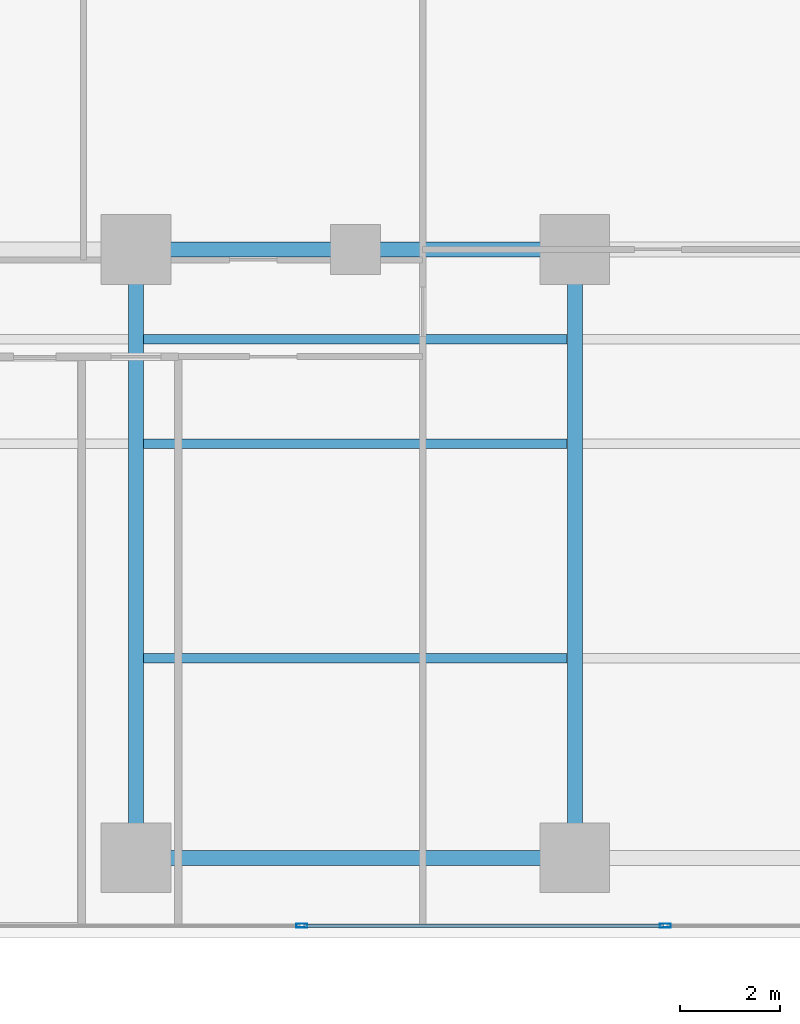
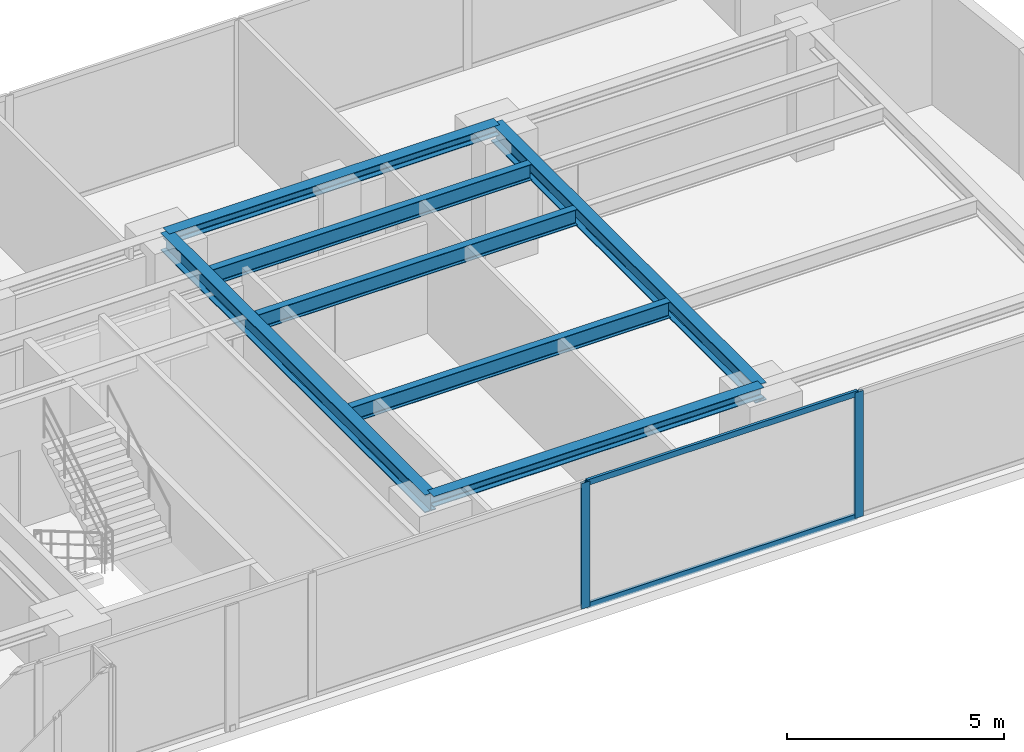
# One storey, part 11 of 26: 7 beams, 4 members, 1 element without a shape of its own.
"""IFC4 building model written with IfcOpenShell, lengths in metres."""

from ifc_helpers import new_model, si_unit, direction, frame, origin, origin_with_axes, origin_2d, place, context, subcontext, project, spatial, hollow_rectangle, i_section, extrude, source, transform, mapped, material, layer, layer_set, material_profile, profile_set, type_object, element, aggregate, save


model = new_model("IFC4")

# Units and contexts
model_context = context("Model", 3, precision=1e-05, world=origin(), true_north=direction((0.0, 1.0)))
body_context = subcontext(model_context, "Body", "Model", "MODEL_VIEW")
ifc_project = project(units=[si_unit("LENGTHUNIT", "METRE"), si_unit("AREAUNIT", "SQUARE_METRE"), si_unit("VOLUMEUNIT", "CUBIC_METRE"), si_unit("PLANEANGLEUNIT", "RADIAN"), si_unit("MASSUNIT", "GRAM", prefix="KILO")], contexts=[model_context])

# Site, building, storey
site_placement = place(None, origin())
site = spatial("IfcSite", under=ifc_project, at=site_placement, CompositionType="ELEMENT")
building_placement = place(site_placement, origin())
building = spatial("IfcBuilding", under=site, at=building_placement, Name="Kolvaren Waterfront Exchange", CompositionType="ELEMENT")
storey_placement = place(building_placement, frame((0.0, 0.0, 122.10009765625)))
storey = spatial("IfcBuildingStorey", under=building, at=storey_placement, Name="L31", CompositionType="ELEMENT", Elevation=122.10009765625)

# Beams
ifc_material_1 = material(Name="Steel S355", Category="steel")
ifc_material_profile_1 = material_profile(ifc_material_1, i_section(OverallWidth=0.300048828125, OverallDepth=0.300048828125, WebThickness=0.010986328125, FlangeThickness=0.01904296875, FilletRadius=0.027099609375, at=origin_2d()), Name="HEB300")
ifc_profile_set_1 = profile_set([ifc_material_profile_1], Name="Steel S355")
beam_type_1 = type_object("IfcBeamType", Name="STR-BM-HEB300", PredefinedType="SPANDREL", material=ifc_profile_set_1)
for number, where, z_axis, x_axis, name in (
    (1, (36.800048828125, 5.199951171875, 3.389892578125), (1.0, 0.0, 0.0), (0.0, 1.0, 0.0), "L31 east-arm spandrel S3"),
    (2, (36.800048828125, 17.39990234375, 3.389892578125), (1.0, 0.0, 0.0), (0.0, 1.0, 0.0), "L31 east-arm spandrel N3"),
):
    element("IfcBeam", number, at=place(storey_placement, frame(where, z_axis=z_axis, x_axis=x_axis)), inside=storey, type_object=beam_type_1, Name=name, PredefinedType="SPANDREL", context=body_context, shape_type="SweptSolid", body=[
        extrude(i_section(OverallWidth=0.300048828125, OverallDepth=0.300048828125, WebThickness=0.010986328125, FlangeThickness=0.01904296875, FilletRadius=0.027099609375, at=origin_2d()), origin(), (0.0, 0.0, 1.0), 8.800048828125),
    ])
ifc_material_profile_2 = material_profile(ifc_material_1, i_section(OverallWidth=0.300048828125, OverallDepth=0.5, WebThickness=0.014404296875, FlangeThickness=0.028076171875, FilletRadius=0.027099609375, at=origin_2d()), Name="HEB500")
ifc_profile_set_2 = profile_set([ifc_material_profile_2], Name="Steel S355")
beam_type_2 = type_object("IfcBeamType", Name="STR-BM-HEB500", PredefinedType="BEAM", material=ifc_profile_set_2)
for number, where, z_axis, x_axis, name in (
    (3, (36.800048828125, 5.199951171875, 3.289794921875), (0.0, 1.0, 0.0), (-1.0, 0.0, 0.0), "L31 east-arm transverse girder X36"),
    (4, (45.60009765625, 5.199951171875, 3.289794921875), (0.0, 1.0, 0.0), (-1.0, 0.0, 0.0), "L31 east-arm transverse girder X45"),
):
    element("IfcBeam", number, at=place(storey_placement, frame(where, z_axis=z_axis, x_axis=x_axis)), inside=storey, type_object=beam_type_2, Name=name, PredefinedType="BEAM", context=body_context, shape_type="SweptSolid", body=[
        extrude(i_section(OverallWidth=0.300048828125, OverallDepth=0.5, WebThickness=0.014404296875, FlangeThickness=0.028076171875, FilletRadius=0.027099609375, at=origin_2d()), origin(), (0.0, 0.0, 1.0), 12.199951171875),
    ])
ifc_material_profile_3 = material_profile(ifc_material_1, i_section(OverallWidth=0.18994140625, OverallDepth=0.449951171875, WebThickness=0.009521484375, FlangeThickness=0.0146484375, FilletRadius=0.02099609375, at=origin_2d()), Name="IPE450")
ifc_profile_set_3 = profile_set([ifc_material_profile_3], Name="Steel S355")
beam_type_3 = type_object("IfcBeamType", Name="STR-BM-IPE450", PredefinedType="JOIST", material=ifc_profile_set_3)
for number, where, z_axis, x_axis, name in (
    (5, (36.951904296875, 13.5, 3.31494140625), (1.0, 0.0, 0.0), (0.0, 1.0, 0.0), "L31 east-arm composite joist 3A"),
    (6, (36.951904296875, 15.60009765625, 3.31494140625), (1.0, 0.0, 0.0), (0.0, 1.0, 0.0), "L31 east-arm composite joist 3C"),
    (7, (36.951904296875, 9.199951171875, 3.31494140625), (1.0, 0.0, 0.0), (0.0, 1.0, 0.0), "L31 east-arm composite joist 3B"),
):
    element("IfcBeam", number, at=place(storey_placement, frame(where, z_axis=z_axis, x_axis=x_axis)), inside=storey, type_object=beam_type_3, Name=name, PredefinedType="JOIST", context=body_context, shape_type="SweptSolid", body=[
        extrude(i_section(OverallWidth=0.18994140625, OverallDepth=0.449951171875, WebThickness=0.009521484375, FlangeThickness=0.0146484375, FilletRadius=0.02099609375, at=origin_2d()), origin(), (0.0, 0.0, 1.0), 8.49609375),
    ])

# Curtain wall, members
ifc_material_2 = material(Name="Anodised bronze aluminium 6063-T6", Category="aluminium")
ifc_layer = layer(ifc_material_2, 0.219970703125, Name="Anodised bronze aluminium 6063-T6")
ifc_layer_set = layer_set([ifc_layer], Name="Anodised bronze aluminium 6063-T6")
curtain_wall_type = type_object("IfcCurtainWallType", Name="ARC-CW-SYS1", PredefinedType="USERDEFINED", material=ifc_layer_set)
curtain_wall_placement = place(storey_placement, origin())
curtain_wall = element("IfcCurtainWall", 8, at=curtain_wall_placement, inside=storey, type_object=curtain_wall_type, Name="L31 stick curtain wall CW1 (CW-L31-S)", ObjectType="STICK CURTAIN WALL", PredefinedType="USERDEFINED")
ifc_material_3 = material(Name="Anodised aluminium 6063-T6", Category="aluminium")
ifc_material_profile_4 = material_profile(ifc_material_3, hollow_rectangle(XDim=0.080078125, YDim=0.219970703125, WallThickness=0.0048828125, at=origin_2d()), Name="ALU-MUL-220x80x5")
ifc_profile_set_4 = profile_set([ifc_material_profile_4], Name="Anodised aluminium 6063-T6")
member_type_1 = type_object("IfcMemberType", Name="ARC-CWM-220", PredefinedType="MULLION", material=ifc_profile_set_4)
shared_shape_1 = source(origin_with_axes(), body_context, "Body", "SweptSolid", [
    extrude(hollow_rectangle(XDim=0.080078125, YDim=0.219970703125, WallThickness=0.0048828125, at=origin_2d()), origin(), (0.0, 0.0, 1.0), 3.539794921875),
])
member_1_placement = place(storey_placement, frame((40.128662109375, 3.840087890625, 0.0), z_axis=(0.0, 0.0, 1.0), x_axis=(0.0, 1.0, 0.0)))
member_1 = element("IfcMember", 9, at=member_1_placement, type_object=member_type_1, Name="CW1 mullion 6", PredefinedType="MULLION", context=body_context, shape_type="MappedRepresentation", body=[
    mapped(shared_shape_1, transform((0.0, 0.0, 0.0), x_axis=(1.0, 0.0, 0.0), y_axis=(0.0, 1.0, 0.0), z_axis=(0.0, 0.0, 1.0), scale=1.0)),
])
member_2_placement = place(storey_placement, frame((47.414306640625, 3.840087890625, 0.0), z_axis=(0.0, 0.0, 1.0), x_axis=(0.0, 1.0, 0.0)))
member_2 = element("IfcMember", 10, at=member_2_placement, type_object=member_type_1, Name="CW1 mullion 7", PredefinedType="MULLION", context=body_context, shape_type="MappedRepresentation", body=[
    mapped(shared_shape_1, transform((0.0, 0.0, 0.0), x_axis=(1.0, 0.0, 0.0), y_axis=(0.0, 1.0, 0.0), z_axis=(0.0, 0.0, 1.0), scale=1.0)),
])
ifc_material_profile_5 = material_profile(ifc_material_3, hollow_rectangle(XDim=0.074951171875, YDim=0.159912109375, WallThickness=0.00439453125, at=origin_2d()), Name="ALU-TRN-160x75x4.5")
ifc_profile_set_5 = profile_set([ifc_material_profile_5], Name="Anodised aluminium 6063-T6")
member_type_2 = type_object("IfcMemberType", Name="ARC-CWT-160", PredefinedType="USERDEFINED", material=ifc_profile_set_5)
shared_shape_2 = source(origin_with_axes(), body_context, "Body", "SweptSolid", [
    extrude(hollow_rectangle(XDim=0.074951171875, YDim=0.159912109375, WallThickness=0.00439453125, at=origin_2d()), origin(), (0.0, 0.0, 1.0), 7.205810546875),
])
member_3_placement = place(storey_placement, frame((40.16845703125, 3.840087890625, 0.037353515625), z_axis=(1.0, 0.0, 0.0), x_axis=(0.0, 1.0, 0.0)))
member_3 = element("IfcMember", 11, at=member_3_placement, type_object=member_type_2, Name="CW1 transom 6.1", ObjectType="TRANSOM", PredefinedType="USERDEFINED", context=body_context, shape_type="MappedRepresentation", body=[
    mapped(shared_shape_2, transform((0.0, 0.0, 0.0), x_axis=(1.0, 0.0, 0.0), y_axis=(0.0, 1.0, 0.0), z_axis=(0.0, 0.0, 1.0), scale=1.0)),
])
member_4_placement = place(storey_placement, frame((40.16845703125, 3.840087890625, 3.50244140625), z_axis=(1.0, 0.0, 0.0), x_axis=(0.0, 1.0, 0.0)))
member_4 = element("IfcMember", 12, at=member_4_placement, type_object=member_type_2, Name="CW1 transom 6.2", ObjectType="TRANSOM", PredefinedType="USERDEFINED", context=body_context, shape_type="MappedRepresentation", body=[
    mapped(shared_shape_2, transform((0.0, 0.0, 0.0), x_axis=(1.0, 0.0, 0.0), y_axis=(0.0, 1.0, 0.0), z_axis=(0.0, 0.0, 1.0), scale=1.0)),
])
aggregate(curtain_wall, [member_1, member_2, member_3, member_4])

save(model, "model.ifc")
